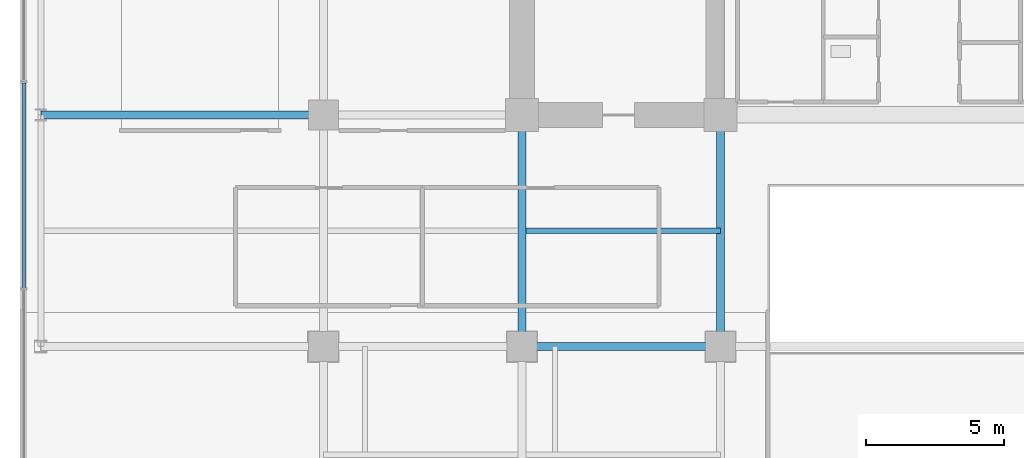
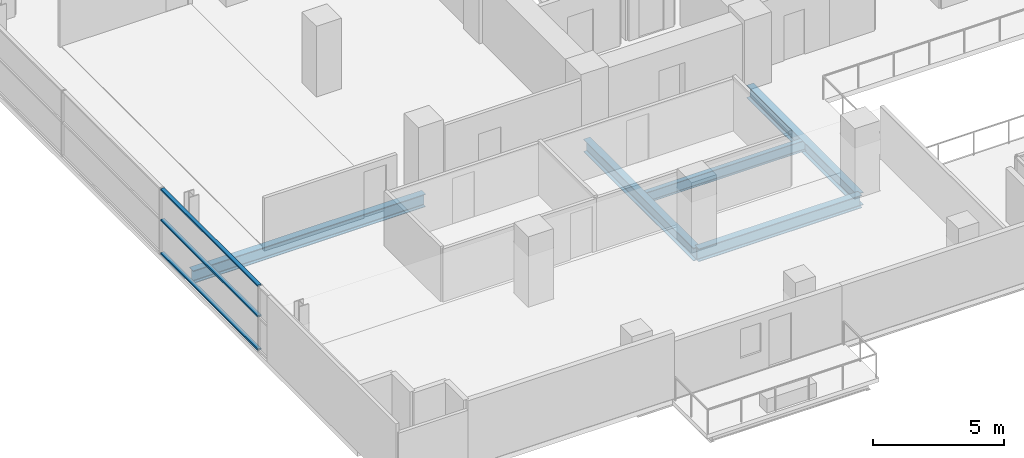
# One storey, part 7 of 30: 5 beams, 3 members, 1 element without a shape of its own.
"""IFC4 building model written with IfcOpenShell, lengths in metres."""

from ifc_helpers import new_model, si_unit, direction, frame, origin, origin_2d, place, context, subcontext, project, spatial, hollow_rectangle, i_section, extrude, source, transform, mapped, material, layer, layer_set, material_profile, profile_set, type_object, element, aggregate, save


model = new_model("IFC4")

# Units and contexts
model_context = context("Model", 3, precision=1e-05, world=origin(), true_north=direction((0.0, 1.0)))
body_context = subcontext(model_context, "Body", "Model", "MODEL_VIEW")
ifc_project = project(units=[si_unit("LENGTHUNIT", "METRE"), si_unit("AREAUNIT", "SQUARE_METRE"), si_unit("VOLUMEUNIT", "CUBIC_METRE"), si_unit("PLANEANGLEUNIT", "RADIAN"), si_unit("MASSUNIT", "GRAM", prefix="KILO")], contexts=[model_context])

# Site, building, storey
site_placement = place(None, origin())
site = spatial("IfcSite", under=ifc_project, at=site_placement, CompositionType="ELEMENT")
building_placement = place(site_placement, origin())
building = spatial("IfcBuilding", under=site, at=building_placement, Name="Zarnakvel Exchange Tower", CompositionType="ELEMENT")
storey_placement = place(building_placement, frame((0.0, 0.0, 50.5)))
storey = spatial("IfcBuildingStorey", under=building, at=storey_placement, Name="L13", CompositionType="ELEMENT", Elevation=50.5)

# Beams
ifc_material_1 = material(Name="Steel S355", Category="steel")
ifc_material_profile_1 = material_profile(ifc_material_1, i_section(OverallWidth=0.199951171875, OverallDepth=0.5, WebThickness=0.01025390625, FlangeThickness=0.01611328125, FilletRadius=0.02099609375, at=origin_2d()))
ifc_profile_set_1 = profile_set([ifc_material_profile_1], Name="Steel S355")
beam_type_1 = type_object("IfcBeamType", Name="B-04", PredefinedType="JOIST", material=ifc_profile_set_1)
beam_1_placement = place(storey_placement, frame((-14.25, -5.39990234375, -0.47509765625), z_axis=(1.0, 0.0, 0.0), x_axis=(0.0, 1.0, 0.0)))
element("IfcBeam", 1, at=beam_1_placement, inside=storey, type_object=beam_type_1, Name="L13 Composite Floor Secondary Joist", PredefinedType="JOIST", context=body_context, shape_type="SweptSolid", body=[
    extrude(i_section(OverallWidth=0.199951171875, OverallDepth=0.5, WebThickness=0.01025390625, FlangeThickness=0.01611328125, FilletRadius=0.02099609375, at=origin_2d()), origin(), (0.0, 0.0, 1.0), 7.050048828125),
])
ifc_material_profile_2 = material_profile(ifc_material_1, i_section(OverallWidth=0.300048828125, OverallDepth=0.60009765625, WebThickness=0.015380859375, FlangeThickness=0.030029296875, FilletRadius=0.027099609375, at=origin_2d()))
ifc_profile_set_2 = profile_set([ifc_material_profile_2], Name="Steel S355")
beam_type_2 = type_object("IfcBeamType", Name="G-04", PredefinedType="BEAM", material=ifc_profile_set_2)
beam_2_placement = place(storey_placement, frame((-14.39990234375, -9.60009765625, -0.52490234375), z_axis=(1.0, 0.0, 0.0), x_axis=(0.0, 1.0, 0.0)))
element("IfcBeam", 2, at=beam_2_placement, inside=storey, type_object=beam_type_2, Name="L13 Tower E-W Frame Beam", PredefinedType="BEAM", context=body_context, shape_type="SweptSolid", body=[
    extrude(i_section(OverallWidth=0.300048828125, OverallDepth=0.60009765625, WebThickness=0.015380859375, FlangeThickness=0.030029296875, FilletRadius=0.027099609375, at=origin_2d()), origin(), (0.0, 0.0, 1.0), 7.199951171875),
])
beam_3_placement = place(storey_placement, frame((-31.85009765625, -1.199951171875, -0.52490234375), z_axis=(1.0, 0.0, 0.0), x_axis=(0.0, 1.0, 0.0)))
element("IfcBeam", 3, at=beam_3_placement, inside=storey, type_object=beam_type_2, Name="L13 Tower E-W Frame Beam", PredefinedType="BEAM", context=body_context, shape_type="SweptSolid", body=[
    extrude(i_section(OverallWidth=0.300048828125, OverallDepth=0.60009765625, WebThickness=0.015380859375, FlangeThickness=0.030029296875, FilletRadius=0.027099609375, at=origin_2d()), origin(), (0.0, 0.0, 1.0), 10.25),
])
for number, where, z_axis, x_axis, name in (
    (4, (-14.39990234375, -9.60009765625, -0.52490234375), (0.0, 1.0, 0.0), (-1.0, 0.0, 0.0), "L13 Tower N-S Frame Beam"),
    (5, (-7.199951171875, -9.60009765625, -0.52490234375), (0.0, 1.0, 0.0), (-1.0, 0.0, 0.0), "L13 Tower N-S Frame Beam"),
):
    element("IfcBeam", number, at=place(storey_placement, frame(where, z_axis=z_axis, x_axis=x_axis)), inside=storey, type_object=beam_type_2, Name=name, PredefinedType="BEAM", context=body_context, shape_type="SweptSolid", body=[
        extrude(i_section(OverallWidth=0.300048828125, OverallDepth=0.60009765625, WebThickness=0.015380859375, FlangeThickness=0.030029296875, FilletRadius=0.027099609375, at=origin_2d()), origin(), (0.0, 0.0, 1.0), 8.400146484375),
    ])

# Curtain wall, members
ifc_material_2 = material(Name="Architectural Bronze Anodised Aluminium", Category="aluminium")
ifc_layer = layer(ifc_material_2, 0.199951171875)
ifc_layer_set = layer_set([ifc_layer], Name="Architectural Bronze Anodised Aluminium")
curtain_wall_type = type_object("IfcCurtainWallType", Name="CW-04", PredefinedType="NOTDEFINED", material=ifc_layer_set)
curtain_wall_placement = place(storey_placement, origin())
curtain_wall = element("IfcCurtainWall", 6, at=curtain_wall_placement, inside=storey, type_object=curtain_wall_type, Name="L13 Curtain Wall CW-L13-W1 (CW-04)", PredefinedType="NOTDEFINED")
ifc_material_profile_3 = material_profile(ifc_material_2, hollow_rectangle(XDim=0.159912109375, YDim=0.074951171875, WallThickness=0.00390625, at=origin_2d()))
ifc_profile_set_3 = profile_set([ifc_material_profile_3], Name="Architectural Bronze Anodised Aluminium")
member_type = type_object("IfcMemberType", Name="CWT-04", PredefinedType="USERDEFINED", material=ifc_profile_set_3)
shared_shape = source(origin(), body_context, "Body", "SweptSolid", [
    extrude(hollow_rectangle(XDim=0.159912109375, YDim=0.074951171875, WallThickness=0.00390625, at=origin_2d()), origin(), (0.0, 0.0, 1.0), 7.4248046875),
])
member_1_placement = place(storey_placement, frame((-32.4599609375, -7.46240234375, 0.03759765625), z_axis=(0.0, 1.0, 0.0), x_axis=(-1.0, 0.0, 0.0)))
member_1 = element("IfcMember", 7, at=member_1_placement, type_object=member_type, Name="CW-04 transom 2.1", ObjectType="TRANSOM", PredefinedType="USERDEFINED", context=body_context, shape_type="MappedRepresentation", body=[
    mapped(shared_shape, transform((0.0, 0.0, 0.0), x_axis=(1.0, 0.0, 0.0), y_axis=(0.0, 1.0, 0.0), z_axis=(0.0, 0.0, 1.0), scale=1.0)),
])
member_2_placement = place(storey_placement, frame((-32.4599609375, -7.46240234375, 1.588623046875), z_axis=(0.0, 1.0, 0.0), x_axis=(-1.0, 0.0, 0.0)))
member_2 = element("IfcMember", 8, at=member_2_placement, type_object=member_type, Name="CW-04 transom 2.2", ObjectType="TRANSOM", PredefinedType="USERDEFINED", context=body_context, shape_type="MappedRepresentation", body=[
    mapped(shared_shape, transform((0.0, 0.0, 0.0), x_axis=(1.0, 0.0, 0.0), y_axis=(0.0, 1.0, 0.0), z_axis=(0.0, 0.0, 1.0), scale=1.0)),
])
member_3_placement = place(storey_placement, frame((-32.4599609375, -7.46240234375, 3.017578125), z_axis=(0.0, 1.0, 0.0), x_axis=(-1.0, 0.0, 0.0)))
member_3 = element("IfcMember", 9, at=member_3_placement, type_object=member_type, Name="CW-04 transom 2.3", ObjectType="TRANSOM", PredefinedType="USERDEFINED", context=body_context, shape_type="MappedRepresentation", body=[
    mapped(shared_shape, transform((0.0, 0.0, 0.0), x_axis=(1.0, 0.0, 0.0), y_axis=(0.0, 1.0, 0.0), z_axis=(0.0, 0.0, 1.0), scale=1.0)),
])
aggregate(curtain_wall, [member_1, member_2, member_3])

save(model, "model.ifc")
